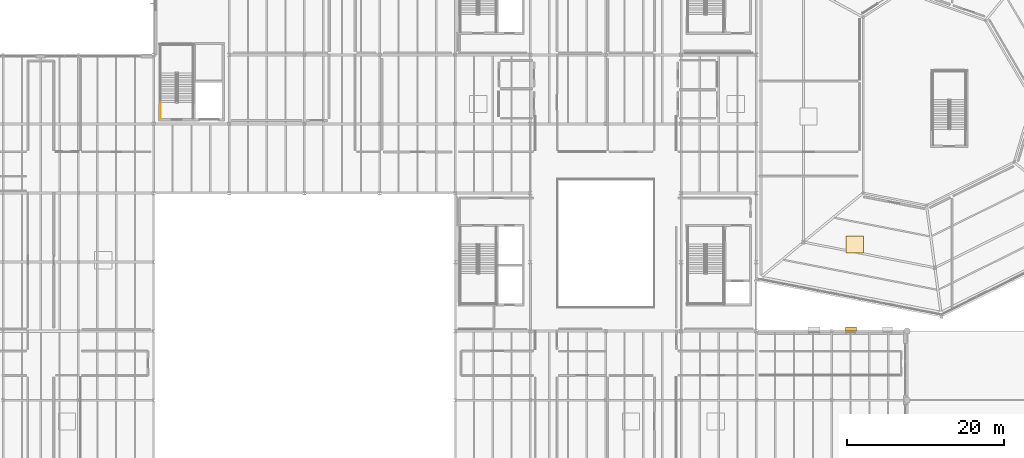
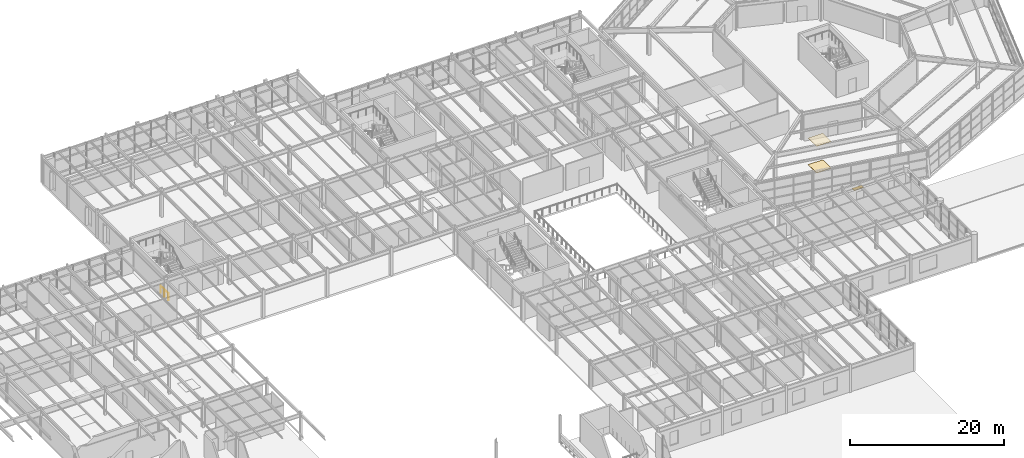
# One storey, part 70 of 77: 2 coverings, 1 railing, 1 shading device.
"""IFC4 building model written with IfcOpenShell, lengths in metres."""

import ifcopenshell
import ifcopenshell.guid

model = None  # the IFC model being written
_history = None  # IfcOwnerHistory: only IFC2X3 demands one
_inside = {}  # id of a spatial element -> (the spatial element, [elements in it])
_under = {}  # id of a project, library or spatial element -> (it, [spatial elements below it])
_declared = {}  # id of a project -> (the project, [libraries it declares])
_typed = {}  # id of a type object -> (the type object, [elements of that type])
_made_of = {}  # id of a material, layer set ... -> (it, [elements and type objects made of it])


def new_model(schema):
    """Start an empty IFC model of exactly this schema.

    Asked for "IFC4X3", IfcOpenShell would pick the latest addendum, in which some entities
    have other attributes; the version numbers below select the first issue.
    IFC2X3 requires an IfcOwnerHistory on every rooted entity: one is made here for all.
    """
    global model, _history
    if schema == "IFC4X3":
        model = ifcopenshell.file(schema_version=(4, 3, 0, 0))
    else:
        model = ifcopenshell.file(schema=schema)
    _inside.clear()
    _under.clear()
    _declared.clear()
    _typed.clear()
    _made_of.clear()
    _history = None
    if model.schema == "IFC2X3":
        org = make("IfcOrganization", Name="unknown")
        user = make(
            "IfcPersonAndOrganization",
            ThePerson=make("IfcPerson", FamilyName="unknown"),
            TheOrganization=org,
        )
        app = make(
            "IfcApplication",
            ApplicationDeveloper=org,
            Version="unknown",
            ApplicationFullName="unknown",
            ApplicationIdentifier="unknown",
        )
        _history = make(
            "IfcOwnerHistory",
            OwningUser=user,
            OwningApplication=app,
            ChangeAction="ADDED",
            CreationDate=0,
        )
    return model


def make(cls, **values):
    """One entity of the class cls with the attributes given. An attribute that is None is left unset."""
    return model.create_entity(
        cls, **{name: value for name, value in values.items() if value is not None}
    )


def rooted(cls, **values):
    """An entity with a GlobalId (a new one), such as an element, a storey or a relation."""
    return make(cls, GlobalId=ifcopenshell.guid.new(), OwnerHistory=_history, **values)


def si_unit(unit_type, name, prefix=None):
    """IfcSIUnit, for example si_unit("LENGTHUNIT", "METRE", prefix="MILLI")."""
    return make("IfcSIUnit", UnitType=unit_type, Prefix=prefix, Name=name)


def assignment(units):
    """IfcUnitAssignment: the units of a project."""
    return None if units is None else make("IfcUnitAssignment", Units=units)


def point(xyz):
    """IfcCartesianPoint."""
    return None if xyz is None else make("IfcCartesianPoint", Coordinates=xyz)


def direction(xyz):
    """IfcDirection."""
    return None if xyz is None else make("IfcDirection", DirectionRatios=xyz)


def frame(location, z_axis=None, x_axis=None):
    """IfcAxis2Placement3D, a coordinate frame: its origin and axes. An axis left out is left unset."""
    return make(
        "IfcAxis2Placement3D",
        Location=point(location),
        Axis=direction(z_axis),
        RefDirection=direction(x_axis),
    )


def frame_2d(location, x_axis=None):
    """IfcAxis2Placement2D, a coordinate frame in the plane: its origin and x axis."""
    return make(
        "IfcAxis2Placement2D", Location=point(location), RefDirection=direction(x_axis)
    )


def origin():
    """The frame at (0, 0, 0) with its axes left unset."""
    return frame((0.0, 0.0, 0.0))


def origin_2d():
    """The frame at (0, 0) in the plane with its x axis left unset."""
    return frame_2d((0.0, 0.0))


def place(relative_to, where):
    """IfcLocalPlacement: puts the frame where relative to a parent placement (None: the world)."""
    return make(
        "IfcLocalPlacement", PlacementRelTo=relative_to, RelativePlacement=where
    )


def context(
    kind, dimensions, precision=None, world=None, true_north=None, identifier=None
):
    """IfcGeometricRepresentationContext, for example the 3D "Model" context."""
    return make(
        "IfcGeometricRepresentationContext",
        ContextIdentifier=identifier,
        ContextType=kind,
        CoordinateSpaceDimension=dimensions,
        Precision=precision,
        WorldCoordinateSystem=world,
        TrueNorth=true_north,
    )


def subcontext(parent, identifier, kind, view, scale=None):
    """IfcGeometricRepresentationSubContext, for example "Body" below "Model"."""
    return make(
        "IfcGeometricRepresentationSubContext",
        ContextIdentifier=identifier,
        ContextType=kind,
        ParentContext=parent,
        TargetScale=scale,
        TargetView=view,
    )


def project(units=None, contexts=None):
    """IfcProject with its units and contexts."""
    return rooted(
        "IfcProject",
        Name="project",
        RepresentationContexts=contexts,
        UnitsInContext=assignment(units),
    )


def spatial(cls, under=None, at=None, **own):
    """A site, building, storey or space (cls), placed at a placement, below another one or the project."""
    s = rooted(cls, ObjectPlacement=at, **own)
    if under is not None:
        _under.setdefault(under.id(), (under, []))[1].append(s)
    return s


def profile(cls, at=None, kind="AREA", **sizes):
    """A parametric profile (cls). Its sizes go by their IFC names, for example OverallWidth=200.0."""
    return make(cls, ProfileType=kind, Position=at, **sizes)


def rectangle(**sizes):
    """IfcRectangleProfileDef."""
    return profile("IfcRectangleProfileDef", **sizes)


def circle(**sizes):
    """IfcCircleProfileDef."""
    return profile("IfcCircleProfileDef", **sizes)


def extrude(swept, where, along, depth):
    """IfcExtrudedAreaSolid: the profile swept, set in the frame where, extruded along a direction by depth."""
    return make(
        "IfcExtrudedAreaSolid",
        SweptArea=swept,
        Position=where,
        ExtrudedDirection=direction(along),
        Depth=depth,
    )


def shape(context_of_items, identifier, shape_type, items):
    """IfcShapeRepresentation: the items that make up one representation, for example the "Body"."""
    return make(
        "IfcShapeRepresentation",
        ContextOfItems=context_of_items,
        RepresentationIdentifier=identifier,
        RepresentationType=shape_type,
        Items=items,
    )


def material(Name=None, Category=None):
    """IfcMaterial."""
    return make("IfcMaterial", Name=Name, Category=Category)


def layer(
    of_material, thickness, ventilated=None, Name=None, Category=None, Priority=None
):
    """IfcMaterialLayer: one layer of a wall or slab, of a material (None: an air gap)."""
    return make(
        "IfcMaterialLayer",
        Material=of_material,
        LayerThickness=thickness,
        IsVentilated=ventilated,
        Name=Name,
        Category=Category,
        Priority=Priority,
    )


def layer_set(layers, Name=None):
    """IfcMaterialLayerSet."""
    return make("IfcMaterialLayerSet", MaterialLayers=layers, LayerSetName=Name)


def made_of(thing, what):
    """Note that an element or type object is made of a material, layer set ...; save() writes the relation."""
    if what is not None:
        _made_of.setdefault(what.id(), (what, []))[1].append(thing)
    return thing


def type_object(cls, material=None, **own):
    """A type object (cls), such as IfcWallType, which elements share."""
    return made_of(rooted(cls, **own), material)


def element(
    cls,
    number,
    at=None,
    inside=None,
    cuts=None,
    type_object=None,
    material=None,
    context=None,
    identifier="Body",
    shape_type=None,
    held_by="IfcProductDefinitionShape",
    body=None,
    shapes=None,
    **own,
):
    """One element of the class cls, such as IfcWall. Its Tag is "e" and its number.

    at: its placement. inside: the storey or other place that contains it. cuts: it is an
    opening in that element (IfcRelVoidsElement). A single representation is given by context,
    identifier, shape_type and body (its items); several are given by shapes. held_by: the class
    of the entity that holds the representations. save() writes the other relations.
    """
    e = rooted(cls, Tag="e%d" % number, ObjectPlacement=at, **own)
    if body is not None:
        shapes = [shape(context, identifier, shape_type, body)]
    if shapes is not None:
        e.Representation = make(held_by, Representations=shapes)
    if inside is not None:
        _inside.setdefault(inside.id(), (inside, []))[1].append(e)
    if cuts is not None:
        rooted(
            "IfcRelVoidsElement", RelatingBuildingElement=cuts, RelatedOpeningElement=e
        )
    if type_object is not None:
        _typed.setdefault(type_object.id(), (type_object, []))[1].append(e)
    return made_of(e, material)


def aggregate(whole, parts):
    """IfcRelAggregates: a whole, such as a stair, and the parts it consists of."""
    return rooted("IfcRelAggregates", RelatingObject=whole, RelatedObjects=parts)


def save(model, path):
    """Write the relations noted so far, then the file.

    IfcRelAggregates (storeys below a building ...), IfcRelContainedInSpatialStructure (elements
    in a storey), IfcRelDefinesByType, IfcRelAssociatesMaterial and IfcRelDeclares: one each for
    every whole, place, type object, material and project.
    """
    for whole, parts in _under.values():
        aggregate(whole, parts)
    for where, things in _inside.values():
        rooted(
            "IfcRelContainedInSpatialStructure",
            RelatedElements=things,
            RelatingStructure=where,
        )
    for kind, things in _typed.values():
        rooted("IfcRelDefinesByType", RelatedObjects=things, RelatingType=kind)
    for what, things in _made_of.values():
        rooted("IfcRelAssociatesMaterial", RelatedObjects=things, RelatingMaterial=what)
    for by, libraries in _declared.values():
        rooted("IfcRelDeclares", RelatingContext=by, RelatedDefinitions=libraries)
    model.write(path)


model = new_model("IFC4")

# Units and contexts
model_context = context("Model", 3, precision=1e-05, world=origin(), true_north=direction((0.0, 1.0)))
body_context = subcontext(model_context, "Body", "Model", "MODEL_VIEW")
ifc_project = project(units=[si_unit("LENGTHUNIT", "METRE"), si_unit("AREAUNIT", "SQUARE_METRE"), si_unit("VOLUMEUNIT", "CUBIC_METRE"), si_unit("PLANEANGLEUNIT", "RADIAN"), si_unit("MASSUNIT", "GRAM", prefix="KILO")], contexts=[model_context])

# Site, building, storey
site_placement = place(None, origin())
site = spatial("IfcSite", under=ifc_project, at=site_placement, CompositionType="ELEMENT")
building_placement = place(site_placement, origin())
building = spatial("IfcBuilding", under=site, at=building_placement, Name="Sarnbrook Museum", CompositionType="ELEMENT")
storey_placement = place(building_placement, frame((0.0, 0.0, 5.60009765625)))
storey = spatial("IfcBuildingStorey", under=building, at=storey_placement, Name="L01", CompositionType="ELEMENT", Elevation=5.60009765625)

# Shading device
ifc_material_1 = material(Name="Patinated Architectural Bronze")
shading_device_type = type_object("IfcShadingDeviceType", Name="BriseSoleil_Horizontal", PredefinedType="SHUTTER", material=ifc_material_1)
shading_device_placement = place(storey_placement, frame((131.23388671875, 57.070068359375, 3.2646484375), z_axis=(0.0, 0.0, 1.0), x_axis=(1.0, 0.0, 0.0)))
element("IfcShadingDevice", 1, at=shading_device_placement, inside=storey, type_object=shading_device_type, Name="Horizontal Bronze Brise-Soleil BS-012", PredefinedType="SHUTTER", context=body_context, shape_type="SweptSolid", body=[
    extrude(rectangle(XDim=1.39990234375, YDim=0.550048828125, at=origin_2d()), origin(), (0.0, 0.0, 1.0), 0.090087890625),
])

# Coverings
ifc_material_2 = material(Name="Fire-Rated Acoustic Gypsum Plasterboard")
ifc_layer_1 = layer(ifc_material_2, 0.01806640625)
ifc_layer_set_1 = layer_set([ifc_layer_1], Name="Fire-Rated Acoustic Gypsum Plasterboard")
covering_type_1 = type_object("IfcCoveringType", Name="Ceil_Acoustic18", PredefinedType="CEILING", material=ifc_layer_set_1)
covering_1_placement = place(storey_placement, frame((131.7451171875, 67.845703125, 4.221923828125), z_axis=(0.0, 0.0, 1.0), x_axis=(1.0, 0.0, 0.0)))
element("IfcCovering", 2, at=covering_1_placement, inside=storey, type_object=covering_type_1, Name="Acoustic Ceiling Baffle Panel L01-16", PredefinedType="CEILING", context=body_context, shape_type="SweptSolid", body=[
    extrude(rectangle(XDim=2.199951171875, YDim=2.199951171875, at=origin_2d()), origin(), (0.0, 0.0, 1.0), 0.01806640625),
])
ifc_material_3 = material(Name="Honed Bluestone and Marble Terrazzo Flooring", Category="masonry")
ifc_layer_2 = layer(ifc_material_3, 0.02001953125)
ifc_layer_set_2 = layer_set([ifc_layer_2], Name="Honed Bluestone and Marble Terrazzo Flooring")
covering_type_2 = type_object("IfcCoveringType", Name="Floor_Terrazzo20", PredefinedType="FLOORING", material=ifc_layer_set_2)
covering_2_placement = place(storey_placement, frame((131.7451171875, 67.845703125, 0.0), z_axis=(0.0, 0.0, 1.0), x_axis=(1.0, 0.0, 0.0)))
element("IfcCovering", 3, at=covering_2_placement, inside=storey, type_object=covering_type_2, Name="Gallery Floor Finish Panel L01-16", PredefinedType="FLOORING", context=body_context, shape_type="SweptSolid", body=[
    extrude(rectangle(XDim=2.199951171875, YDim=2.199951171875, at=origin_2d()), origin(), (0.0, 0.0, 1.0), 0.02001953125),
])

# Railing
ifc_material_4 = material(Name="Brushed Stainless Steel Grade 316", Category="steel")
ifc_layer_3 = layer(ifc_material_4, 0.050048828125)
ifc_layer_set_3 = layer_set([ifc_layer_3], Name="Brushed Stainless Steel Grade 316")
railing_type = type_object("IfcRailingType", Name="Guard_Int1120", PredefinedType="BALUSTRADE", material=ifc_layer_set_3)
railing_placement = place(storey_placement, frame((43.2900390625, 83.89990234375, 0.0)))
element("IfcRailing", 4, at=railing_placement, inside=storey, type_object=railing_type, Name="L01 ST6 stair guard 9", PredefinedType="BALUSTRADE", context=body_context, shape_type="SweptSolid", body=[
    extrude(circle(Radius=0.02392578125, at=origin_2d()), frame((0.0, 0.0, 1.09619140625), z_axis=(0.0, 1.0, 0.0), x_axis=(-1.0, 0.0, 0.0)), (0.0, 0.0, 1.0), 2.02001953125),
    extrude(circle(Radius=0.02099609375, at=origin_2d()), origin(), (0.0, 0.0, 1.0), 1.072021484375),
    extrude(circle(Radius=0.02099609375, at=origin_2d()), frame((0.0, 1.010009765625, 0.0)), (0.0, 0.0, 1.0), 1.072021484375),
    extrude(circle(Radius=0.02099609375, at=origin_2d()), frame((0.0, 2.02001953125, 0.0)), (0.0, 0.0, 1.0), 1.072021484375),
])

save(model, "model.ifc")
